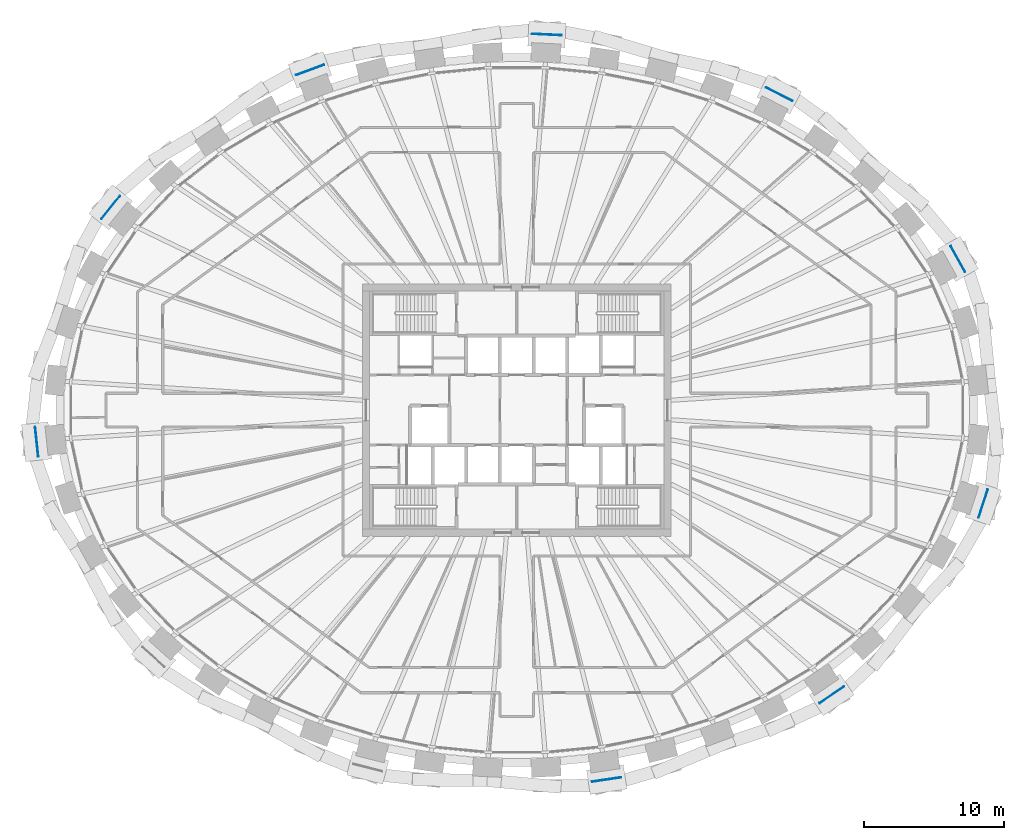
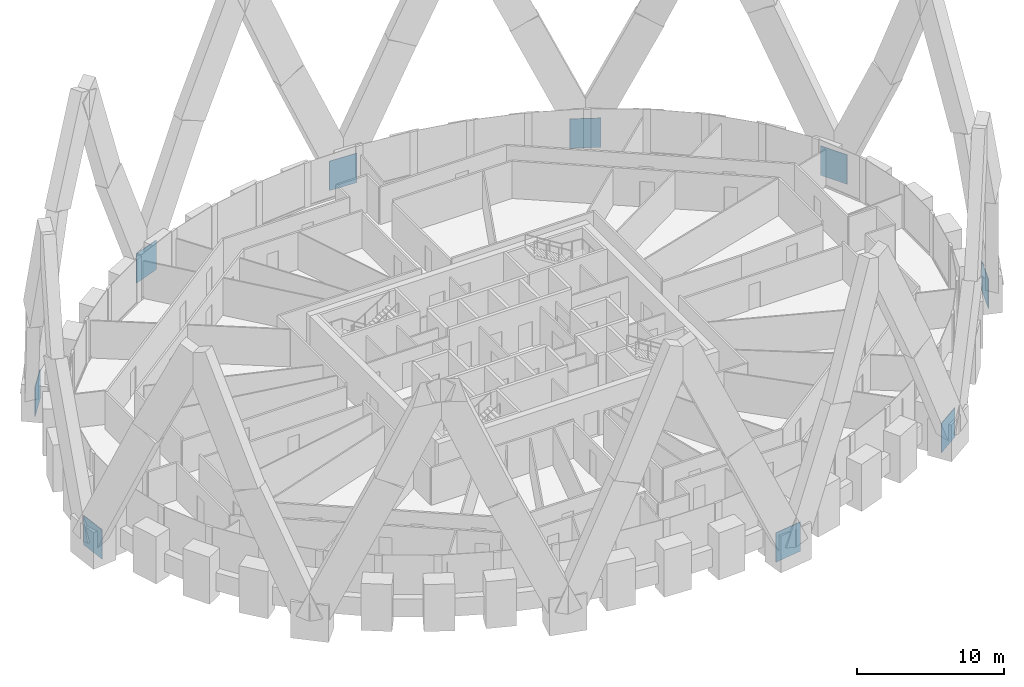
# One storey, part 13 of 14: 9 discrete accessories.
"""IFC4 building model written with IfcOpenShell, lengths in metres."""

from ifc_helpers import new_model, si_unit, direction, frame, origin, origin_2d, place, context, subcontext, project, spatial, rectangle, extrude, source, transform, mapped, material, type_object, element, save


model = new_model("IFC4")

# Units and contexts
model_context = context("Model", 3, precision=1e-05, world=origin(), true_north=direction((0.0, 1.0)))
body_context = subcontext(model_context, "Body", "Model", "MODEL_VIEW")
ifc_project = project(units=[si_unit("LENGTHUNIT", "METRE"), si_unit("AREAUNIT", "SQUARE_METRE"), si_unit("VOLUMEUNIT", "CUBIC_METRE"), si_unit("PLANEANGLEUNIT", "RADIAN"), si_unit("MASSUNIT", "GRAM", prefix="KILO")], contexts=[model_context])

# Site, building, storey
site_placement = place(None, origin())
site = spatial("IfcSite", under=ifc_project, at=site_placement, CompositionType="ELEMENT")
building_placement = place(site_placement, origin())
building = spatial("IfcBuilding", under=site, at=building_placement, Name="Embergate Tower", CompositionType="ELEMENT")
storey_placement = place(building_placement, frame((0.0, 0.0, 257.800048828125)))
storey = spatial("IfcBuildingStorey", under=building, at=storey_placement, Name="L59", CompositionType="ELEMENT", Elevation=257.800048828125)

# Discrete accessories
ifc_material = material(Name="Steel Q355D plate", Category="steel")
discrete_accessory_type = type_object("IfcDiscreteAccessoryType", Name="Lattice node plate", PredefinedType="USERDEFINED", material=ifc_material)
shared_shape = source(origin(), body_context, "Body", "SweptSolid", [
    extrude(rectangle(XDim=2.1201171875, YDim=0.050048828125, at=origin_2d()), origin(), (0.0, 0.0, 1.0), 2.43994140625),
])
for number, where, z_axis, x_axis, name in (
    (1, (31.4560546875, 10.77587890625, -1.219970703125), (0.0, 0.0, 1.0), (-0.486838556403, 0.873491969053, 0.0), "Node plate"),
    (2, (18.708984375, 22.513916015625, -1.219970703125), (0.0, 0.0, 1.0), (-0.891513080478, 0.452994952881, 0.0), "Node plate"),
    (3, (2.14404296875, 26.76904296875, -1.219970703125), (0.0, 0.0, 1.0), (-0.998807841912, 0.048814904854, 0.0), "Node plate"),
    (4, (-14.7470703125, 24.2470703125, -1.219970703125), (0.0, 0.0, 1.0), (-0.93736713373, -0.348343015724, 0.0), "Node plate"),
    (5, (-28.95703125, 14.451904296875, -1.219970703125), (0.0, 0.0, 1.0), (-0.630838328377, -0.775914301615, 0.0), "Node plate"),
    (6, (-34.22900390625, -2.263916015625, -1.219970703125), (0.0, 0.0, 1.0), (0.106749983816, -0.99428589498, 0.0), "Node plate"),
    (7, (6.4140625, -26.34912109375, -1.219970703125), (0.0, 0.0, 1.0), (0.989147039346, 0.146929011949, 0.0), "Node plate"),
    (8, (22.4541015625, -20.31201171875, -1.219970703125), (0.0, 0.0, 1.0), (0.828226643109, 0.560393279442, 0.0), "Node plate"),
    (9, (33.2548828125, -6.6708984375, -1.219970703125), (0.0, 0.0, 1.0), (0.309946394413, 0.950754033697, 0.0), "Node plate"),
):
    element("IfcDiscreteAccessory", number, at=place(storey_placement, frame(where, z_axis=z_axis, x_axis=x_axis)), inside=storey, type_object=discrete_accessory_type, Name=name, ObjectType="BRACKET", PredefinedType="USERDEFINED", context=body_context, shape_type="MappedRepresentation", body=[
        mapped(shared_shape, transform((0.0, 0.0, 0.0))),
    ])

save(model, "model.ifc")
